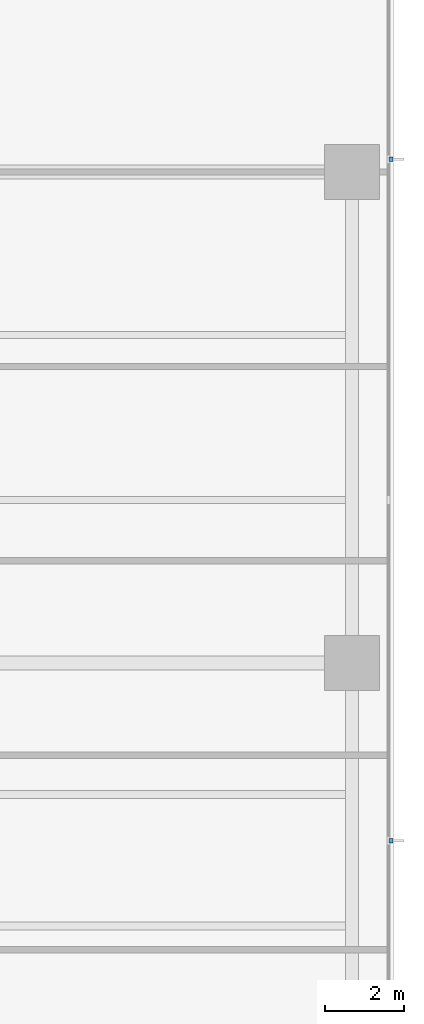
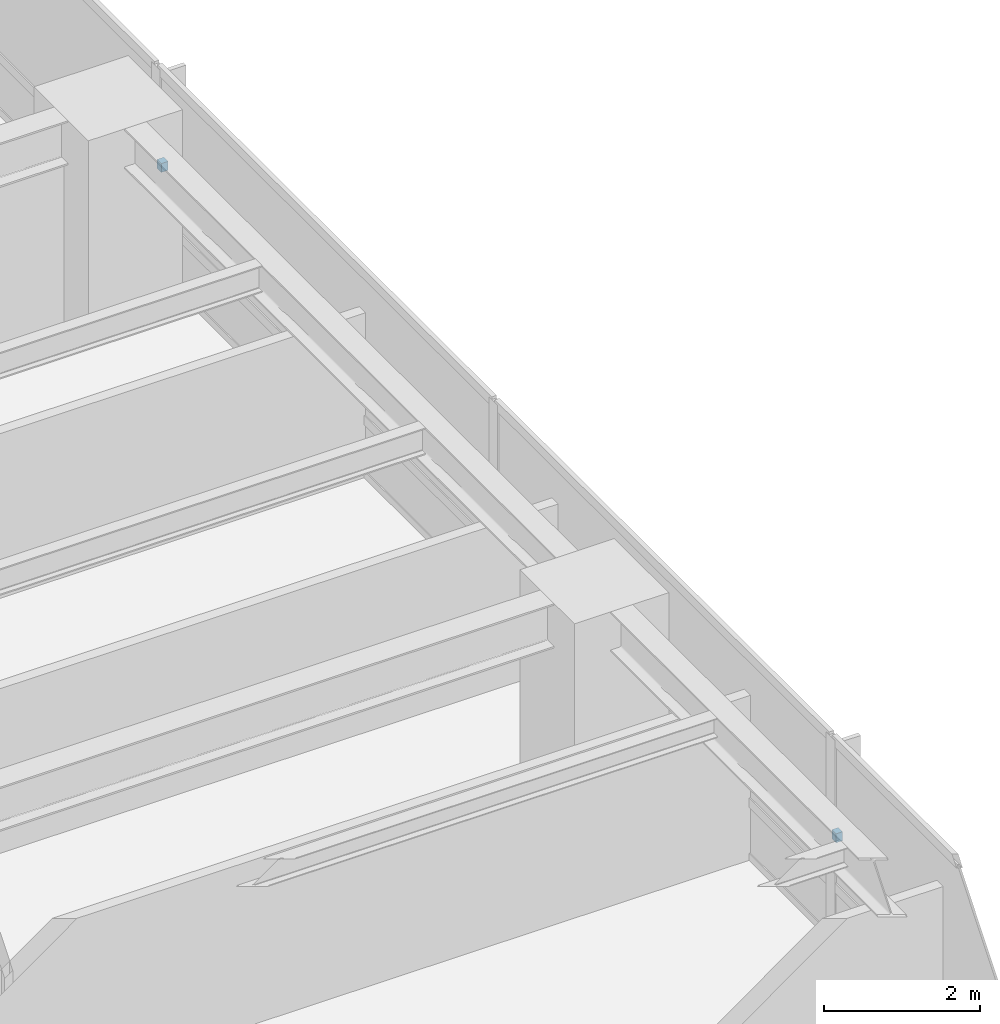
# One storey, part 13 of 17: 2 discrete accessories.
"""IFC4 building model written with IfcOpenShell, lengths in metres."""

from ifc_helpers import new_model, si_unit, direction, frame, origin, place, context, subcontext, project, spatial, polyline, outline, extrude, material, type_object, element, save


model = new_model("IFC4")

# Units and contexts
model_context = context("Model", 3, precision=1e-05, world=origin(), true_north=direction((0.0, 1.0)))
body_context = subcontext(model_context, "Body", "Model", "MODEL_VIEW")
ifc_project = project(units=[si_unit("LENGTHUNIT", "METRE"), si_unit("AREAUNIT", "SQUARE_METRE"), si_unit("VOLUMEUNIT", "CUBIC_METRE"), si_unit("PLANEANGLEUNIT", "RADIAN"), si_unit("MASSUNIT", "GRAM", prefix="KILO")], contexts=[model_context])

# Site, building, storey
site_placement = place(None, origin())
site = spatial("IfcSite", under=ifc_project, at=site_placement, CompositionType="ELEMENT")
building_placement = place(site_placement, origin())
building = spatial("IfcBuilding", under=site, at=building_placement, Name="Qalmaran Belvedere Hotel", CompositionType="ELEMENT")
storey_placement = place(building_placement, frame((0.0, 0.0, 33.39990234375)))
storey = spatial("IfcBuildingStorey", under=building, at=storey_placement, Name="L07", CompositionType="ELEMENT", Elevation=33.39990234375)

# Discrete accessories
ifc_material = material(Name="Stainless Steel 1.4401", Category="steel")
discrete_accessory_type = type_object("IfcDiscreteAccessoryType", Name="BRK-FIN-SS316", PredefinedType="BRACKET", material=ifc_material)
discrete_accessory_1_placement = place(storey_placement, frame((0.0, 0.0, 1.56005859375)))
element("IfcDiscreteAccessory", 1, at=discrete_accessory_1_placement, inside=storey, type_object=discrete_accessory_type, Name="L07 Fin Bracket 1", PredefinedType="BRACKET", context=body_context, shape_type="SweptSolid", body=[
    extrude(outline(polyline([(61.695068359375, 15.919921875), (61.79248046875, 15.919921875), (61.79248046875, 16.030029296875), (61.695068359375, 16.030029296875), (61.695068359375, 15.919921875)])), origin(), (0.0, 0.0, 1.0), 0.14013671875),
])
discrete_accessory_2_placement = place(storey_placement, frame((0.0, 0.0, 1.56005859375)))
element("IfcDiscreteAccessory", 2, at=discrete_accessory_2_placement, inside=storey, type_object=discrete_accessory_type, Name="L07 Fin Bracket 3", PredefinedType="BRACKET", context=body_context, shape_type="SweptSolid", body=[
    extrude(outline(polyline([(61.695068359375, 33.27001953125), (61.79248046875, 33.27001953125), (61.79248046875, 33.3798828125), (61.695068359375, 33.3798828125), (61.695068359375, 33.27001953125)])), origin(), (0.0, 0.0, 1.0), 0.14013671875),
])

save(model, "model.ifc")
